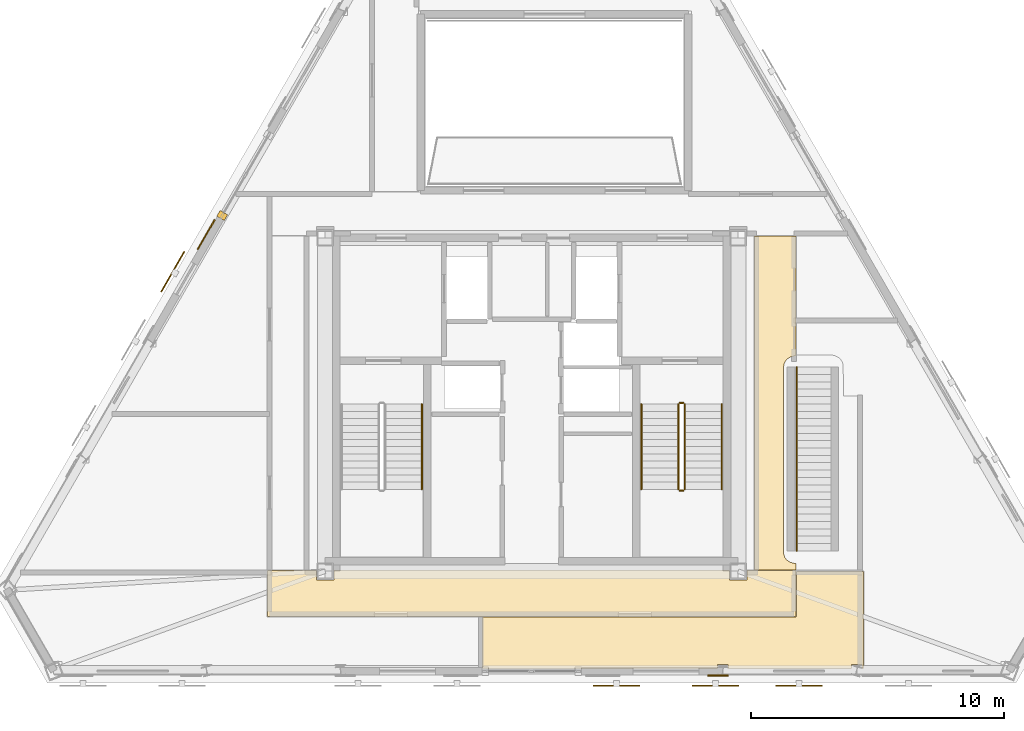
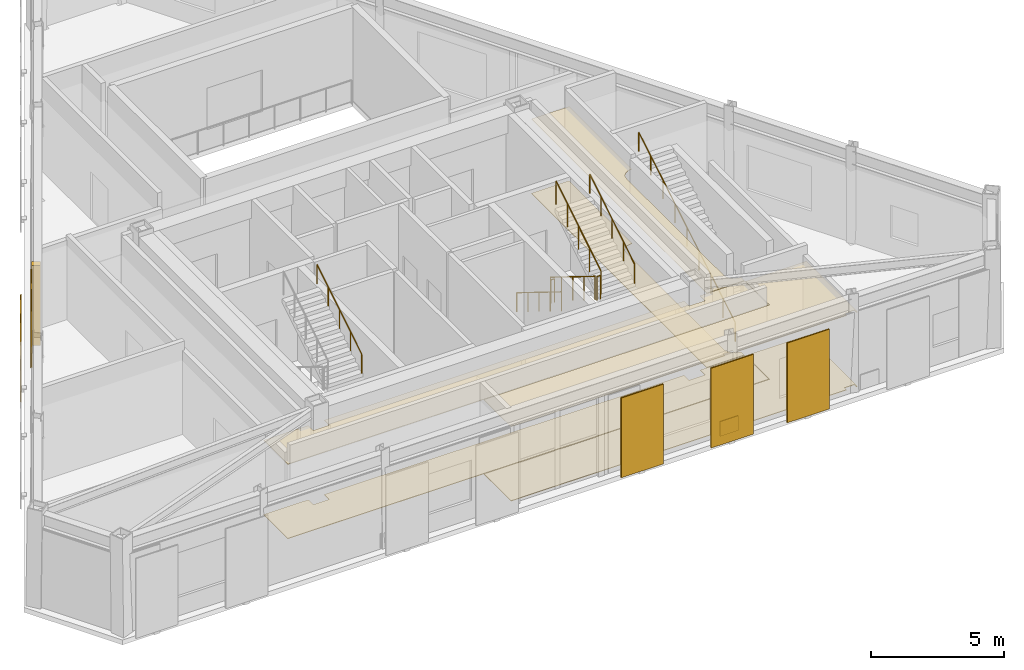
# One storey, part 14 of 15: 9 coverings, 8 railings, 4 shading devices.
"""IFC4 building model written with IfcOpenShell, lengths in metres."""

from ifc_helpers import new_model, si_unit, direction, frame, origin, origin_2d, place, context, subcontext, project, spatial, polyline, rectangle, circle, outline, extrude, material, layer, layer_set, type_object, element, save


model = new_model("IFC4")

# Units and contexts
model_context = context("Model", 3, precision=1e-05, world=origin(), true_north=direction((0.0, 1.0)))
body_context = subcontext(model_context, "Body", "Model", "MODEL_VIEW")
ifc_project = project(units=[si_unit("LENGTHUNIT", "METRE"), si_unit("AREAUNIT", "SQUARE_METRE"), si_unit("VOLUMEUNIT", "CUBIC_METRE"), si_unit("PLANEANGLEUNIT", "RADIAN"), si_unit("MASSUNIT", "GRAM", prefix="KILO")], contexts=[model_context])

# Site, building, storey
site_placement = place(None, origin())
site = spatial("IfcSite", under=ifc_project, at=site_placement, CompositionType="ELEMENT")
building_placement = place(site_placement, origin())
building = spatial("IfcBuilding", under=site, at=building_placement, Name="Oramaril Tower", CompositionType="ELEMENT")
storey_placement = place(building_placement, frame((0.0, 0.0, 305.10009765625)))
storey = spatial("IfcBuildingStorey", under=building, at=storey_placement, Name="L80", CompositionType="ELEMENT", Elevation=305.10009765625)

# Coverings
ifc_material_1 = material(Name="Mineral Fibre Acoustic Ceiling")
ifc_layer_1 = layer(ifc_material_1, 0.02001953125)
ifc_layer_set_1 = layer_set([ifc_layer_1], Name="CVT-CEIL")
covering_type_1 = type_object("IfcCoveringType", Name="CVT-CEIL", PredefinedType="CEILING", material=ifc_layer_set_1)
covering_1_placement = place(storey_placement, frame((0.0, 0.0, 3.411865234375)))
element("IfcCovering", 1, at=covering_1_placement, inside=storey, type_object=covering_type_1, Name="L80 Acoustic Suspended Ceiling 1", PredefinedType="CEILING", context=body_context, shape_type="SweptSolid", body=[
    extrude(outline(polyline([(45.304931640625, 10.655029296875), (45.9951171875, 10.655029296875), (45.9951171875, 11.030029296875), (47.929931640625, 11.030029296875), (47.929931640625, 9.219970703125), (27.070068359375, 9.219970703125), (27.070068359375, 11.030029296875), (29.0048828125, 11.030029296875), (29.0048828125, 10.655029296875), (29.695068359375, 10.655029296875), (29.695068359375, 11.030029296875), (45.304931640625, 11.030029296875), (45.304931640625, 10.655029296875)])), origin(), (0.0, 0.0, 1.0), 0.02001953125),
])
covering_2_placement = place(storey_placement, frame((0.0, 0.0, 3.411865234375)))
element("IfcCovering", 2, at=covering_2_placement, inside=storey, type_object=covering_type_1, Name="L80 Acoustic Suspended Ceiling 5", PredefinedType="CEILING", context=body_context, shape_type="SweptSolid", body=[
    extrude(outline(polyline([(47.929931640625, 19.50390625), (47.7080078125, 19.455078125), (47.56494140625, 19.359619140625), (47.469970703125, 19.21728515625), (47.43505859375, 19.04150390625), (47.4375, 11.7109375), (47.489013671875, 11.54150390625), (47.563232421875, 11.441162109375), (47.7080078125, 11.344482421875), (47.929931640625, 11.29541015625), (47.929931640625, 11.050048828125), (46.300048828125, 11.050048828125), (46.300048828125, 24.219970703125), (47.929931640625, 24.219970703125), (47.929931640625, 19.50390625)])), origin(), (0.0, 0.0, 1.0), 0.02001953125),
])
covering_3_placement = place(storey_placement, frame((0.0, 0.0, 3.411865234375)))
element("IfcCovering", 3, at=covering_3_placement, inside=storey, type_object=covering_type_1, Name="L80 Acoustic Suspended Ceiling 7", PredefinedType="CEILING", context=body_context, shape_type="SweptSolid", body=[
    extrude(outline(polyline([(50.592041015625, 7.16162109375), (50.539306640625, 7.16162109375), (50.539306640625, 7.315673828125), (50.11181640625, 7.315673828125), (50.11181640625, 7.16162109375), (45.255126953125, 7.16162109375), (45.255126953125, 7.315673828125), (44.83349609375, 7.315673828125), (44.83349609375, 7.16162109375), (35.56201171875, 7.16162109375), (35.56201171875, 9.199951171875), (47.929931640625, 9.199951171875), (47.931884765625, 9.2001953125), (47.933837890625, 9.200439453125), (47.935791015625, 9.200927734375), (47.937744140625, 9.201416015625), (47.939453125, 9.202392578125), (47.941162109375, 9.203369140625), (47.942626953125, 9.20458984375), (47.944091796875, 9.205810546875), (47.945556640625, 9.207275390625), (47.946533203125, 9.208984375), (47.947509765625, 9.210693359375), (47.948486328125, 9.21240234375), (47.94921875, 9.214111328125), (47.94970703125, 9.216064453125), (47.949951171875, 9.218017578125), (47.949951171875, 9.219970703125), (47.949951171875, 10.991943359375), (50.592041015625, 10.991943359375), (50.592041015625, 7.16162109375)])), origin(), (0.0, 0.0, 1.0), 0.02001953125),
])
ifc_material_2 = material(Name="Warm Cream Limestone", Category="masonry")
ifc_layer_2 = layer(ifc_material_2, 0.050048828125)
ifc_layer_set_2 = layer_set([ifc_layer_2], Name="CVT-CLD")
covering_type_2 = type_object("IfcCoveringType", Name="CVT-CLD", PredefinedType="CLADDING", material=ifc_layer_set_2)
covering_4_placement = place(storey_placement, frame((44.858154296875, 6.8857421875, 0.0400390625), z_axis=(0.0, 0.0, 1.0), x_axis=(1.0, 0.0, 0.0)))
element("IfcCovering", 4, at=covering_4_placement, inside=storey, type_object=covering_type_2, Name="L80 Warm Cream Limestone Spandrel Cladding", PredefinedType="CLADDING", context=body_context, shape_type="SweptSolid", body=[
    extrude(rectangle(XDim=0.800048828125, YDim=0.050048828125, at=origin_2d()), origin(), (0.0, 0.0, 1.0), 0.679931640625),
])
covering_5_placement = place(storey_placement, frame((25.28662109375, 25.038330078125, 0.0), z_axis=(0.0, 0.0, 1.0), x_axis=(-0.5, -0.866025403784, 0.0)))
element("IfcCovering", 5, at=covering_5_placement, inside=storey, type_object=covering_type_2, Name="L80 Curtain Wall Limestone Jamb Closure", PredefinedType="CLADDING", context=body_context, shape_type="SweptSolid", body=[
    extrude(rectangle(XDim=0.260009765625, YDim=0.340087890625, at=origin_2d()), origin(), (0.0, 0.0, 1.0), 3.657958984375),
])
covering_6_placement = place(storey_placement, frame((24.656005859375, 24.2822265625, 0.0400390625), z_axis=(0.0, 0.0, 1.0), x_axis=(-0.5, -0.866025403784, 0.0)))
element("IfcCovering", 6, at=covering_6_placement, inside=storey, type_object=covering_type_2, Name="L80 Warm Cream Limestone Cladding", PredefinedType="CLADDING", context=body_context, shape_type="SweptSolid", body=[
    extrude(rectangle(XDim=1.35009765625, YDim=0.050048828125, at=origin_2d()), origin(), (0.0, 0.0, 1.0), 3.577880859375),
])
ifc_material_3 = material(Name="Honed Quartzite Stone Flooring", Category="masonry")
ifc_layer_3 = layer(ifc_material_3, 0.02490234375)
ifc_layer_set_3 = layer_set([ifc_layer_3], Name="CVT-FLR")
covering_type_3 = type_object("IfcCoveringType", Name="CVT-FLR", PredefinedType="FLOORING", material=ifc_layer_set_3)
covering_7_placement = place(storey_placement, origin())
element("IfcCovering", 7, at=covering_7_placement, inside=storey, type_object=covering_type_3, Name="L80 Honed Stone Floor Finish 1", PredefinedType="FLOORING", context=body_context, shape_type="SweptSolid", body=[
    extrude(outline(polyline([(45.304931640625, 10.655029296875), (45.9951171875, 10.655029296875), (45.9951171875, 11.030029296875), (47.929931640625, 11.030029296875), (47.929931640625, 9.219970703125), (27.070068359375, 9.219970703125), (27.070068359375, 11.030029296875), (29.0048828125, 11.030029296875), (29.0048828125, 10.655029296875), (29.695068359375, 10.655029296875), (29.695068359375, 11.030029296875), (45.304931640625, 11.030029296875), (45.304931640625, 10.655029296875)])), origin(), (0.0, 0.0, 1.0), 0.02490234375),
])
covering_8_placement = place(storey_placement, origin())
element("IfcCovering", 8, at=covering_8_placement, inside=storey, type_object=covering_type_3, Name="L80 Honed Stone Floor Finish 5", PredefinedType="FLOORING", context=body_context, shape_type="SweptSolid", body=[
    extrude(outline(polyline([(47.929931640625, 19.50390625), (47.7080078125, 19.455078125), (47.56494140625, 19.359619140625), (47.469970703125, 19.21728515625), (47.43505859375, 19.04150390625), (47.4375, 11.7109375), (47.489013671875, 11.54150390625), (47.563232421875, 11.441162109375), (47.7080078125, 11.344482421875), (47.929931640625, 11.29541015625), (47.929931640625, 11.050048828125), (46.300048828125, 11.050048828125), (46.300048828125, 24.219970703125), (47.929931640625, 24.219970703125), (47.929931640625, 19.50390625)])), origin(), (0.0, 0.0, 1.0), 0.02490234375),
])
covering_9_placement = place(storey_placement, origin())
element("IfcCovering", 9, at=covering_9_placement, inside=storey, type_object=covering_type_3, Name="L80 Honed Stone Floor Finish 7", PredefinedType="FLOORING", context=body_context, shape_type="SweptSolid", body=[
    extrude(outline(polyline([(50.592041015625, 7.16162109375), (50.539306640625, 7.16162109375), (50.539306640625, 7.315673828125), (50.11181640625, 7.315673828125), (50.11181640625, 7.16162109375), (45.255126953125, 7.16162109375), (45.255126953125, 7.315673828125), (44.83349609375, 7.315673828125), (44.83349609375, 7.16162109375), (35.56201171875, 7.16162109375), (35.56201171875, 9.199951171875), (47.929931640625, 9.199951171875), (47.931884765625, 9.2001953125), (47.933837890625, 9.200439453125), (47.935791015625, 9.200927734375), (47.937744140625, 9.201416015625), (47.939453125, 9.202392578125), (47.941162109375, 9.203369140625), (47.942626953125, 9.20458984375), (47.944091796875, 9.205810546875), (47.945556640625, 9.207275390625), (47.946533203125, 9.208984375), (47.947509765625, 9.210693359375), (47.948486328125, 9.21240234375), (47.94921875, 9.214111328125), (47.94970703125, 9.216064453125), (47.949951171875, 9.218017578125), (47.949951171875, 9.219970703125), (47.949951171875, 10.991943359375), (50.592041015625, 10.991943359375), (50.592041015625, 7.16162109375)])), origin(), (0.0, 0.0, 1.0), 0.02490234375),
])

# Railings
ifc_material_4 = material(Name="Stainless Steel 316L", Category="steel")
railing_type_1 = type_object("IfcRailingType", Name="RLT-GRD", PredefinedType="GUARDRAIL", material=ifc_material_4)
railing_1_placement = place(storey_placement, frame((43.2900390625, 17.590087890625, 0.173095703125)))
element("IfcRailing", 10, at=railing_1_placement, inside=storey, type_object=railing_type_1, Name="L80 ST-2 stair guard 1", PredefinedType="GUARDRAIL", context=body_context, shape_type="SweptSolid", body=[
    extrude(circle(Radius=0.02392578125, at=origin_2d()), frame((0.0, 0.0, 1.076171875), z_axis=(0.0, -0.850623216509, 0.525775754039), x_axis=(1.0, 0.0, 0.0)), (0.0, 0.0, 1.0), 3.9501953125),
    extrude(circle(Radius=0.02099609375, at=origin_2d()), origin(), (0.0, 0.0, 1.0), 1.052001953125),
    extrude(circle(Radius=0.02099609375, at=origin_2d()), frame((0.0, -0.840087890625, 0.519287109375)), (0.0, 0.0, 1.0), 1.052001953125),
    extrude(circle(Radius=0.02099609375, at=origin_2d()), frame((0.0, -1.68017578125, 1.03857421875)), (0.0, 0.0, 1.0), 1.052001953125),
    extrude(circle(Radius=0.02099609375, at=origin_2d()), frame((0.0, -2.52001953125, 1.5576171875)), (0.0, 0.0, 1.0), 1.052001953125),
    extrude(circle(Radius=0.02099609375, at=origin_2d()), frame((0.0, -3.360107421875, 2.076904296875)), (0.0, 0.0, 1.0), 1.052001953125),
])
railing_2_placement = place(storey_placement, frame((43.340087890625, 14.179931640625, 2.25)))
element("IfcRailing", 11, at=railing_2_placement, inside=storey, type_object=railing_type_1, Name="L80 ST-2 stair guard 2", PredefinedType="GUARDRAIL", context=body_context, shape_type="SweptSolid", body=[
    extrude(circle(Radius=0.02392578125, at=origin_2d()), frame((0.0, 0.0, 1.076171875), z_axis=(1.0, 0.0, 0.0), x_axis=(0.0, 1.0, 0.0)), (0.0, 0.0, 1.0), 0.14990234375),
    extrude(circle(Radius=0.02099609375, at=origin_2d()), origin(), (0.0, 0.0, 1.0), 1.052001953125),
    extrude(circle(Radius=0.02099609375, at=origin_2d()), frame((0.14990234375, 0.0, 0.0)), (0.0, 0.0, 1.0), 1.052001953125),
])
railing_3_placement = place(storey_placement, frame((43.5400390625, 14.22998046875, 2.423095703125)))
element("IfcRailing", 12, at=railing_3_placement, inside=storey, type_object=railing_type_1, Name="L80 ST-2 stair guard 3", PredefinedType="GUARDRAIL", context=body_context, shape_type="SweptSolid", body=[
    extrude(circle(Radius=0.02392578125, at=origin_2d()), frame((0.0, 0.0, 1.076171875), z_axis=(0.0, 0.850623216509, 0.525775754039), x_axis=(-1.0, 0.0, 0.0)), (0.0, 0.0, 1.0), 3.9501953125),
    extrude(circle(Radius=0.02099609375, at=origin_2d()), origin(), (0.0, 0.0, 1.0), 1.052001953125),
    extrude(circle(Radius=0.02099609375, at=origin_2d()), frame((0.0, 0.840087890625, 0.519287109375)), (0.0, 0.0, 1.0), 1.052001953125),
    extrude(circle(Radius=0.02099609375, at=origin_2d()), frame((0.0, 1.68017578125, 1.03857421875)), (0.0, 0.0, 1.0), 1.052001953125),
    extrude(circle(Radius=0.02099609375, at=origin_2d()), frame((0.0, 2.52001953125, 1.5576171875)), (0.0, 0.0, 1.0), 1.052001953125),
    extrude(circle(Radius=0.02099609375, at=origin_2d()), frame((0.0, 3.360107421875, 2.076904296875)), (0.0, 0.0, 1.0), 1.052001953125),
])
railing_4_placement = place(storey_placement, frame((43.340087890625, 17.639892578125, 0.0)))
element("IfcRailing", 13, at=railing_4_placement, inside=storey, type_object=railing_type_1, Name="L80 ST-2 stair guard 4", PredefinedType="GUARDRAIL", context=body_context, shape_type="SweptSolid", body=[
    extrude(circle(Radius=0.02392578125, at=origin_2d()), frame((0.0, 0.0, 1.076171875), z_axis=(1.0, 0.0, 0.0), x_axis=(0.0, 1.0, 0.0)), (0.0, 0.0, 1.0), 0.14990234375),
    extrude(circle(Radius=0.02099609375, at=origin_2d()), origin(), (0.0, 0.0, 1.0), 1.052001953125),
    extrude(circle(Radius=0.02099609375, at=origin_2d()), frame((0.14990234375, 0.0, 0.0)), (0.0, 0.0, 1.0), 1.052001953125),
])
ifc_material_5 = material(Name="Stainless Steel 316L", Category="steel")
railing_type_2 = type_object("IfcRailingType", Name="RLT-HND", PredefinedType="HANDRAIL", material=ifc_material_5)
railing_5_placement = place(storey_placement, frame((33.169921875, 14.22998046875, 2.423095703125)))
element("IfcRailing", 14, at=railing_5_placement, inside=storey, type_object=railing_type_2, Name="L80 ST-1 stair handrail 2", PredefinedType="HANDRAIL", context=body_context, shape_type="SweptSolid", body=[
    extrude(circle(Radius=0.02392578125, at=origin_2d()), frame((0.0, 0.0, 0.8759765625), z_axis=(0.0, 0.850623216509, 0.525775754039), x_axis=(-1.0, 0.0, 0.0)), (0.0, 0.0, 1.0), 3.9501953125),
    extrude(circle(Radius=0.02099609375, at=origin_2d()), origin(), (0.0, 0.0, 1.0), 0.851806640625),
    extrude(circle(Radius=0.02099609375, at=origin_2d()), frame((0.0, 0.840087890625, 0.519287109375)), (0.0, 0.0, 1.0), 0.851806640625),
    extrude(circle(Radius=0.02099609375, at=origin_2d()), frame((0.0, 1.68017578125, 1.03857421875)), (0.0, 0.0, 1.0), 0.851806640625),
    extrude(circle(Radius=0.02099609375, at=origin_2d()), frame((0.0, 2.52001953125, 1.5576171875)), (0.0, 0.0, 1.0), 0.851806640625),
    extrude(circle(Radius=0.02099609375, at=origin_2d()), frame((0.0, 3.360107421875, 2.076904296875)), (0.0, 0.0, 1.0), 0.851806640625),
])
railing_6_placement = place(storey_placement, frame((41.830078125, 17.590087890625, 0.173095703125)))
element("IfcRailing", 15, at=railing_6_placement, inside=storey, type_object=railing_type_2, Name="L80 ST-2 stair handrail 1", PredefinedType="HANDRAIL", context=body_context, shape_type="SweptSolid", body=[
    extrude(circle(Radius=0.02392578125, at=origin_2d()), frame((0.0, 0.0, 0.8759765625), z_axis=(0.0, -0.850623216509, 0.525775754039), x_axis=(1.0, 0.0, 0.0)), (0.0, 0.0, 1.0), 3.9501953125),
    extrude(circle(Radius=0.02099609375, at=origin_2d()), origin(), (0.0, 0.0, 1.0), 0.851806640625),
    extrude(circle(Radius=0.02099609375, at=origin_2d()), frame((0.0, -0.840087890625, 0.519287109375)), (0.0, 0.0, 1.0), 0.851806640625),
    extrude(circle(Radius=0.02099609375, at=origin_2d()), frame((0.0, -1.68017578125, 1.03857421875)), (0.0, 0.0, 1.0), 0.851806640625),
    extrude(circle(Radius=0.02099609375, at=origin_2d()), frame((0.0, -2.52001953125, 1.5576171875)), (0.0, 0.0, 1.0), 0.851806640625),
    extrude(circle(Radius=0.02099609375, at=origin_2d()), frame((0.0, -3.360107421875, 2.076904296875)), (0.0, 0.0, 1.0), 0.851806640625),
])
railing_7_placement = place(storey_placement, frame((45.0, 14.22998046875, 2.423095703125)))
element("IfcRailing", 16, at=railing_7_placement, inside=storey, type_object=railing_type_2, Name="L80 ST-2 stair handrail 2", PredefinedType="HANDRAIL", context=body_context, shape_type="SweptSolid", body=[
    extrude(circle(Radius=0.02392578125, at=origin_2d()), frame((0.0, 0.0, 0.8759765625), z_axis=(0.0, 0.850623216509, 0.525775754039), x_axis=(-1.0, 0.0, 0.0)), (0.0, 0.0, 1.0), 3.9501953125),
    extrude(circle(Radius=0.02099609375, at=origin_2d()), origin(), (0.0, 0.0, 1.0), 0.851806640625),
    extrude(circle(Radius=0.02099609375, at=origin_2d()), frame((0.0, 0.840087890625, 0.519287109375)), (0.0, 0.0, 1.0), 0.851806640625),
    extrude(circle(Radius=0.02099609375, at=origin_2d()), frame((0.0, 1.68017578125, 1.03857421875)), (0.0, 0.0, 1.0), 0.851806640625),
    extrude(circle(Radius=0.02099609375, at=origin_2d()), frame((0.0, 2.52001953125, 1.5576171875)), (0.0, 0.0, 1.0), 0.851806640625),
    extrude(circle(Radius=0.02099609375, at=origin_2d()), frame((0.0, 3.360107421875, 2.076904296875)), (0.0, 0.0, 1.0), 0.851806640625),
])
railing_8_placement = place(storey_placement, frame((47.965087890625, 11.800048828125, 0.173095703125)))
element("IfcRailing", 17, at=railing_8_placement, inside=storey, type_object=railing_type_2, Name="L80 ST-8 Pitch Handrail", PredefinedType="HANDRAIL", context=body_context, shape_type="SweptSolid", body=[
    extrude(circle(Radius=0.02392578125, at=origin_2d()), frame((0.0, 0.0, 0.8759765625), z_axis=(0.0, 0.858697395518, 0.512482958673), x_axis=(-1.0, 0.0, 0.0)), (0.0, 0.0, 1.0), 8.443115234375),
    extrude(circle(Radius=0.02099609375, at=origin_2d()), origin(), (0.0, 0.0, 1.0), 0.851806640625),
    extrude(circle(Radius=0.02099609375, at=origin_2d()), frame((0.0, 0.90625, 0.540771484375)), (0.0, 0.0, 1.0), 0.851806640625),
    extrude(circle(Radius=0.02099609375, at=origin_2d()), frame((0.0, 1.8125, 1.081787109375)), (0.0, 0.0, 1.0), 0.851806640625),
    extrude(circle(Radius=0.02099609375, at=origin_2d()), frame((0.0, 2.71875, 1.62255859375)), (0.0, 0.0, 1.0), 0.851806640625),
    extrude(circle(Radius=0.02099609375, at=origin_2d()), frame((0.0, 3.625, 2.16357421875)), (0.0, 0.0, 1.0), 0.851806640625),
    extrude(circle(Radius=0.02099609375, at=origin_2d()), frame((0.0, 4.53125, 2.704345703125)), (0.0, 0.0, 1.0), 0.851806640625),
    extrude(circle(Radius=0.02099609375, at=origin_2d()), frame((0.0, 5.4375, 3.2451171875)), (0.0, 0.0, 1.0), 0.851806640625),
    extrude(circle(Radius=0.02099609375, at=origin_2d()), frame((0.0, 6.34375, 3.7861328125)), (0.0, 0.0, 1.0), 0.851806640625),
    extrude(circle(Radius=0.02099609375, at=origin_2d()), frame((0.0, 7.25, 4.326904296875)), (0.0, 0.0, 1.0), 0.851806640625),
])

# Shading devices
for number, where, z_axis, x_axis, name in (
    (18, (40.8505859375, 6.4736328125, -0.02001953125), (0.0, 0.0, 1.0), (1.0, 0.0, 0.0), "L80 Perforated Ceramic Solar Screen"),
    (19, (44.75048828125, 6.4736328125, -0.02001953125), (0.0, 0.0, 1.0), (1.0, 0.0, 0.0), "L80 Perforated Ceramic Solar Screen"),
    (20, (48.05126953125, 6.4736328125, -0.02001953125), (0.0, 0.0, 1.0), (1.0, 0.0, 0.0), "L80 Perforated Ceramic Solar Screen"),
    (21, (23.334716796875, 22.8173828125, -0.02001953125), (0.0, 0.0, 1.0), (-0.500001511499, -0.866024531118, 0.0), "L80 Perforated Ceramic Solar Screen"),
):
    element("IfcShadingDevice", number, at=place(storey_placement, frame(where, z_axis=z_axis, x_axis=x_axis)), inside=storey, Name=name, ObjectType="SCREEN", PredefinedType="USERDEFINED", context=body_context, shape_type="SweptSolid", body=[
        extrude(rectangle(XDim=1.8330078125, YDim=0.050048828125, at=origin_2d()), origin(), (0.0, 0.0, 1.0), 3.657958984375),
    ])

save(model, "model.ifc")
